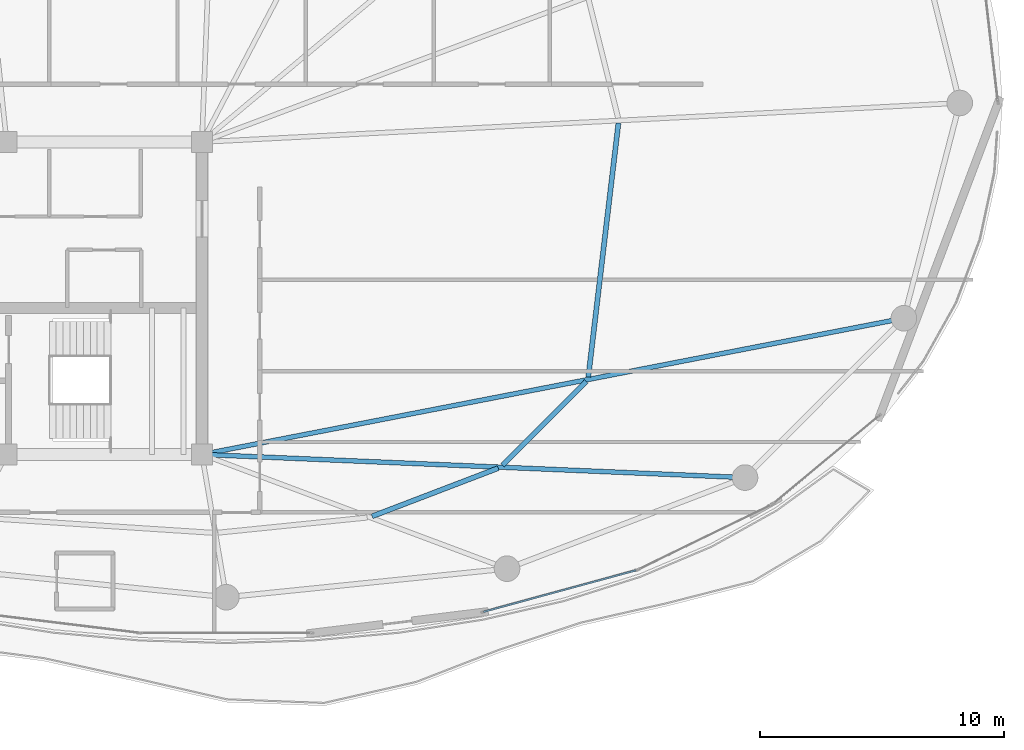
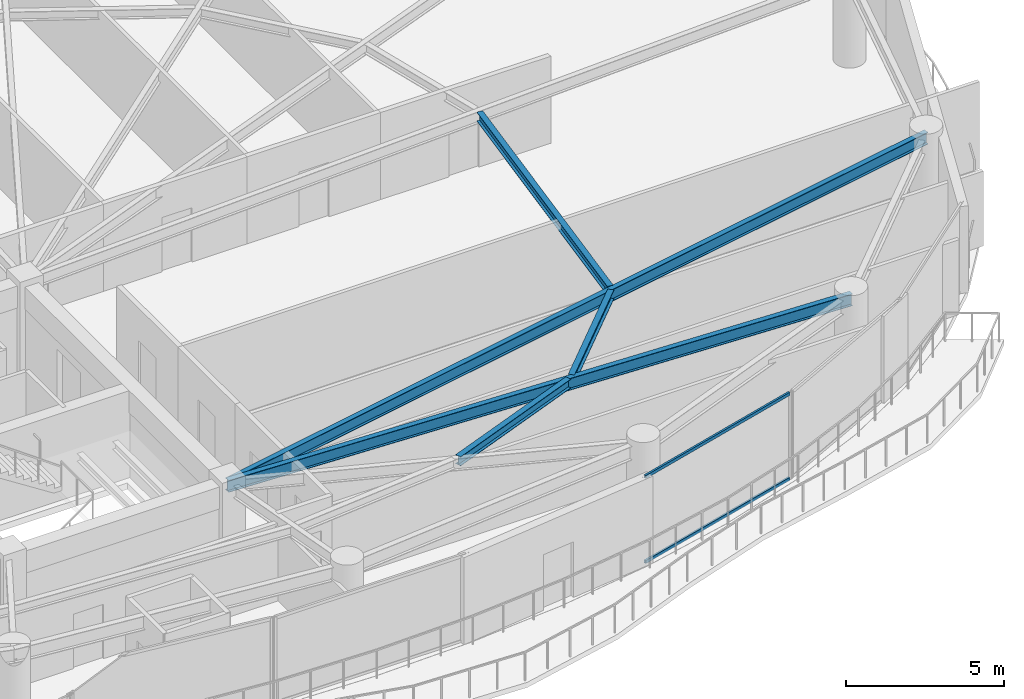
# One storey, part 12 of 31: 5 beams, 2 members, 1 element without a shape of its own.
"""IFC4 building model written with IfcOpenShell, lengths in metres."""

from ifc_helpers import new_model, si_unit, direction, frame, origin, origin_2d, place, context, subcontext, project, spatial, hollow_rectangle, i_section, extrude, material, layer, layer_set, material_profile, profile_set, type_object, element, aggregate, save


model = new_model("IFC4")

# Units and contexts
model_context = context("Model", 3, precision=1e-05, world=origin(), true_north=direction((0.0, 1.0)))
body_context = subcontext(model_context, "Body", "Model", "MODEL_VIEW")
ifc_project = project(units=[si_unit("LENGTHUNIT", "METRE"), si_unit("AREAUNIT", "SQUARE_METRE"), si_unit("VOLUMEUNIT", "CUBIC_METRE"), si_unit("PLANEANGLEUNIT", "RADIAN"), si_unit("MASSUNIT", "GRAM", prefix="KILO")], contexts=[model_context])

# Site, building, storey
site_placement = place(None, origin())
site = spatial("IfcSite", under=ifc_project, at=site_placement, CompositionType="ELEMENT")
building_placement = place(site_placement, origin())
building = spatial("IfcBuilding", under=site, at=building_placement, Name="Kazevale Care Tower and Concert Hall", CompositionType="ELEMENT")
storey_placement = place(building_placement, frame((0.0, 0.0, 238.800048828125)))
storey = spatial("IfcBuildingStorey", under=building, at=storey_placement, Name="L63", CompositionType="ELEMENT", Elevation=238.800048828125)

# Curtain wall, members
ifc_material_1 = material(Name="Aluminium 6063-T6 and Low-E Glass", Category="aluminium")
ifc_layer = layer(ifc_material_1, 0.179931640625)
ifc_layer_set = layer_set([ifc_layer], Name="Aluminium 6063-T6 and Low-E Glass")
curtain_wall_type = type_object("IfcCurtainWallType", Name="Sheltered Concave Balcony Curtain Wall CW-5", PredefinedType="NOTDEFINED", material=ifc_layer_set)
curtain_wall_placement = place(storey_placement, origin())
curtain_wall = element("IfcCurtainWall", 1, at=curtain_wall_placement, inside=storey, type_object=curtain_wall_type, Name="cw:L63:f04", PredefinedType="NOTDEFINED")
ifc_material_2 = material(Name="Aluminium 6063-T6", Category="aluminium")
ifc_material_profile_1 = material_profile(ifc_material_2, hollow_rectangle(XDim=0.074951171875, YDim=0.1201171875, WallThickness=0.00390625, at=origin_2d()), Name="ALU75x120x4")
ifc_profile_set_1 = profile_set([ifc_material_profile_1], Name="Aluminium 6063-T6")
member_type = type_object("IfcMemberType", Name="CW-5 Transom ALU75x120x4", PredefinedType="USERDEFINED", material=ifc_profile_set_1)
member_1_placement = place(storey_placement, frame((61.78369140625, 18.853271484375, 0.037353515625), z_axis=(-0.964843890632, -0.262823641842, 0.0), x_axis=(0.262823641842, -0.964843890632, 0.0)))
member_1 = element("IfcMember", 2, at=member_1_placement, type_object=member_type, Name="CW-5 transom 1.1", ObjectType="TRANSOM", PredefinedType="USERDEFINED", context=body_context, shape_type="SweptSolid", body=[
    extrude(hollow_rectangle(XDim=0.074951171875, YDim=0.1201171875, WallThickness=0.00390625, at=origin_2d()), origin(), (0.0, 0.0, 1.0), 6.469970703125),
])
member_2_placement = place(storey_placement, frame((61.78369140625, 18.853271484375, 3.322509765625), z_axis=(-0.964843890632, -0.262823641842, 0.0), x_axis=(0.262823641842, -0.964843890632, 0.0)))
member_2 = element("IfcMember", 3, at=member_2_placement, type_object=member_type, Name="CW-5 transom 1.2", ObjectType="TRANSOM", PredefinedType="USERDEFINED", context=body_context, shape_type="SweptSolid", body=[
    extrude(hollow_rectangle(XDim=0.074951171875, YDim=0.1201171875, WallThickness=0.00390625, at=origin_2d()), origin(), (0.0, 0.0, 1.0), 6.469970703125),
])
aggregate(curtain_wall, [member_1, member_2])

# Beams
ifc_material_3 = material(Name="Steel ASTM A572 Gr 50", Category="steel")
ifc_material_profile_2 = material_profile(ifc_material_3, i_section(OverallWidth=0.19091796875, OverallDepth=0.4599609375, WebThickness=0.010009765625, FlangeThickness=0.01611328125, at=origin_2d()), Name="W460x82")
ifc_profile_set_2 = profile_set([ifc_material_profile_2], Name="Steel ASTM A572 Gr 50")
beam_type_1 = type_object("IfcBeamType", Name="Radial Floor Beam W460x82", PredefinedType="BEAM", material=ifc_profile_set_2)
beam_1_placement = place(storey_placement, frame((44.0, 23.60009765625, 3.1298828125), z_axis=(0.999089369477, -0.042666518456, 0.0), x_axis=(0.042666518456, 0.999089369477, 0.0)))
element("IfcBeam", 4, at=beam_1_placement, inside=storey, type_object=beam_type_1, Name="beam:L63:rad:15", PredefinedType="BEAM", context=body_context, shape_type="SweptSolid", body=[
    extrude(i_section(OverallWidth=0.19091796875, OverallDepth=0.4599609375, WebThickness=0.010009765625, FlangeThickness=0.01611328125, at=origin_2d()), origin(), (0.0, 0.0, 1.0), 22.270263671875),
])
beam_2_placement = place(storey_placement, frame((44.0, 23.60009765625, 3.1298828125), z_axis=(0.981694544574, 0.190462125247, 0.0), x_axis=(-0.190462125247, 0.981694544574, 0.0)))
element("IfcBeam", 5, at=beam_2_placement, inside=storey, type_object=beam_type_1, Name="beam:L63:rad:16", PredefinedType="BEAM", context=body_context, shape_type="SweptSolid", body=[
    extrude(i_section(OverallWidth=0.19091796875, OverallDepth=0.4599609375, WebThickness=0.010009765625, FlangeThickness=0.01611328125, at=origin_2d()), origin(), (0.0, 0.0, 1.0), 29.29638671875),
])
ifc_material_profile_3 = material_profile(ifc_material_3, i_section(OverallWidth=0.205078125, OverallDepth=0.35400390625, WebThickness=0.009521484375, FlangeThickness=0.016845703125, at=origin_2d()), Name="W360x79")
ifc_profile_set_3 = profile_set([ifc_material_profile_3], Name="Steel ASTM A572 Gr 50")
beam_type_2 = type_object("IfcBeamType", Name="Secondary Floor Joist W360x79", PredefinedType="JOIST", material=ifc_profile_set_3)
beam_3_placement = place(storey_placement, frame((50.972900390625, 21.06396484375, 3.182861328125), z_axis=(0.934001589337, 0.35726884991, 0.0), x_axis=(-0.35726884991, 0.934001589337, 0.0)))
element("IfcBeam", 6, at=beam_3_placement, inside=storey, type_object=beam_type_2, Name="beam:L63:joist:14", PredefinedType="JOIST", context=body_context, shape_type="SweptSolid", body=[
    extrude(i_section(OverallWidth=0.205078125, OverallDepth=0.35400390625, WebThickness=0.009521484375, FlangeThickness=0.016845703125, at=origin_2d()), origin(), (0.0, 0.0, 1.0), 5.531005859375),
])
beam_4_placement = place(storey_placement, frame((56.31201171875, 23.152099609375, 3.182861328125), z_axis=(0.705975874919, 0.708235881633, 0.0), x_axis=(-0.708235881633, 0.705975874919, 0.0)))
element("IfcBeam", 7, at=beam_4_placement, inside=storey, type_object=beam_type_2, Name="beam:L63:joist:15", PredefinedType="JOIST", context=body_context, shape_type="SweptSolid", body=[
    extrude(i_section(OverallWidth=0.205078125, OverallDepth=0.35400390625, WebThickness=0.009521484375, FlangeThickness=0.016845703125, at=origin_2d()), origin(), (0.0, 0.0, 1.0), 4.861083984375),
])
beam_5_placement = place(storey_placement, frame((59.830078125, 26.77294921875, 3.182861328125), z_axis=(0.117874218468, 0.993028533639, 0.0), x_axis=(-0.993028533639, 0.117874218468, 0.0)))
element("IfcBeam", 8, at=beam_5_placement, inside=storey, type_object=beam_type_2, Name="beam:L63:joist:16", PredefinedType="JOIST", context=body_context, shape_type="SweptSolid", body=[
    extrude(i_section(OverallWidth=0.205078125, OverallDepth=0.35400390625, WebThickness=0.009521484375, FlangeThickness=0.016845703125, at=origin_2d()), origin(), (0.0, 0.0, 1.0), 10.47607421875),
])

save(model, "model.ifc")
